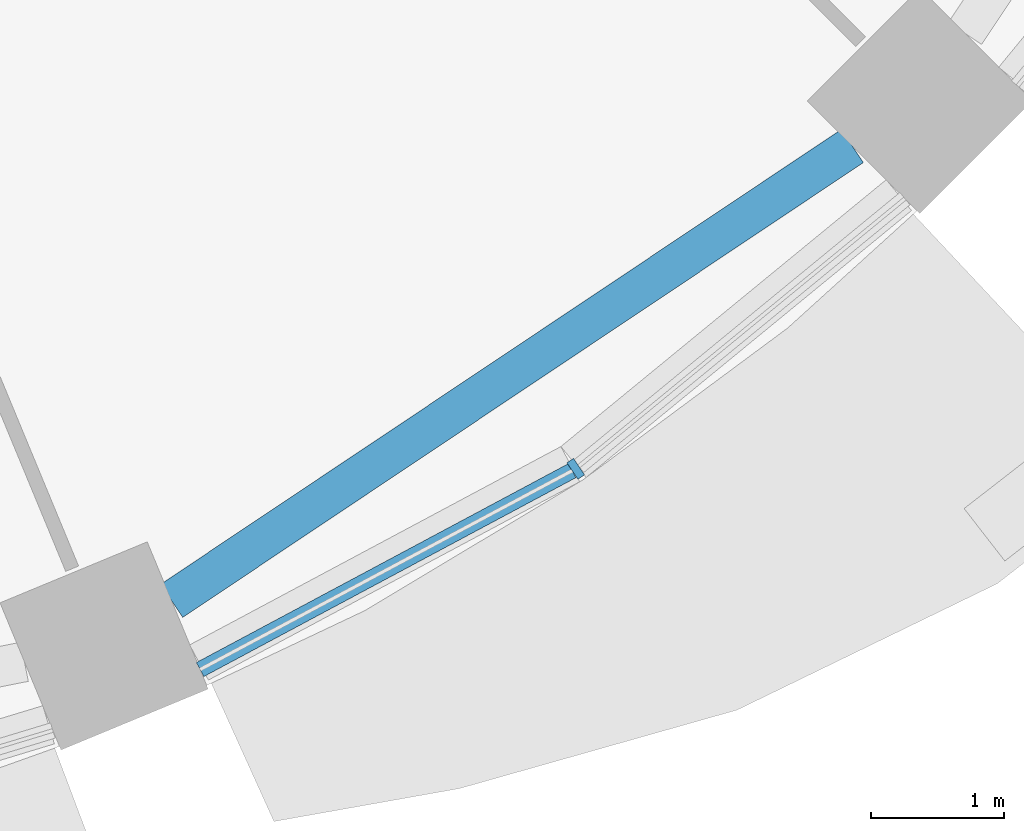
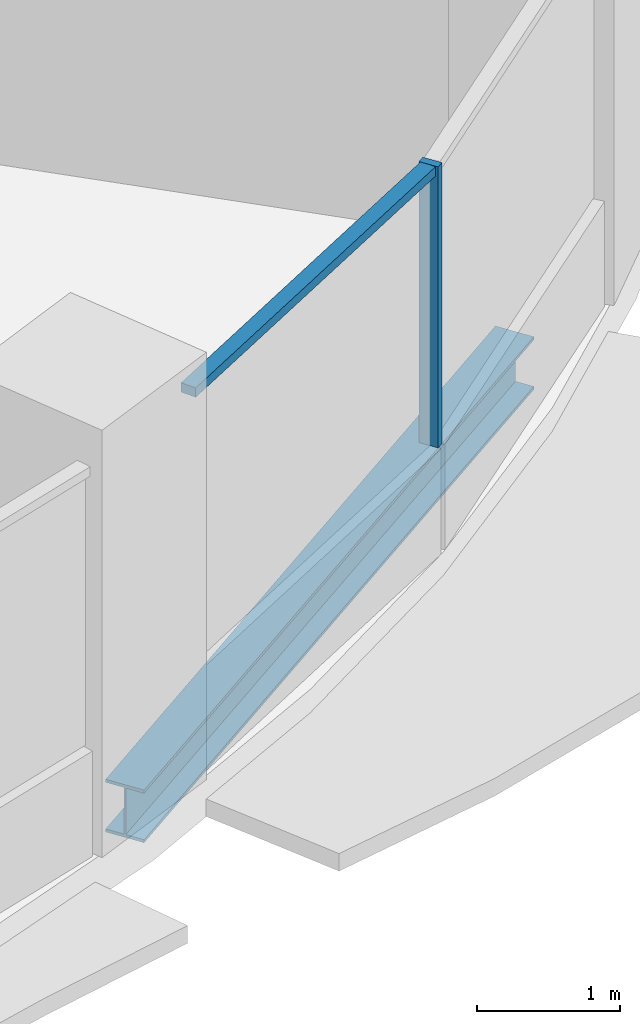
# One storey, part 3 of 15: 2 members, 1 beam, 1 element without a shape of its own.
"""IFC4 building model written with IfcOpenShell, lengths in metres."""

from ifc_helpers import new_model, si_unit, direction, frame, origin, origin_2d, place, context, subcontext, project, spatial, rectangle, i_section, extrude, material, material_profile, profile_set, type_object, element, aggregate, save


model = new_model("IFC4")

# Units and contexts
model_context = context("Model", 3, precision=1e-05, world=origin(), true_north=direction((0.0, 1.0)))
body_context = subcontext(model_context, "Body", "Model", "MODEL_VIEW")
ifc_project = project(units=[si_unit("LENGTHUNIT", "METRE"), si_unit("AREAUNIT", "SQUARE_METRE"), si_unit("VOLUMEUNIT", "CUBIC_METRE"), si_unit("PLANEANGLEUNIT", "RADIAN"), si_unit("MASSUNIT", "GRAM", prefix="KILO")], contexts=[model_context])

# Site, building, storey
site_placement = place(None, origin())
site = spatial("IfcSite", under=ifc_project, at=site_placement, CompositionType="ELEMENT")
building_placement = place(site_placement, origin())
building = spatial("IfcBuilding", under=site, at=building_placement, Name="Polderwave Tower", CompositionType="ELEMENT")
storey_placement = place(building_placement, frame((0.0, 0.0, 62.699951171875)))
storey = spatial("IfcBuildingStorey", under=building, at=storey_placement, Name="L16", CompositionType="ELEMENT", Elevation=62.699951171875)

# Curtain wall, members
ifc_material_1 = material(Name="Aluminium 6063-T6 and glass", Category="aluminium")
curtain_wall_type = type_object("IfcCurtainWallType", Name="Growing floor ribbon glazing wall", PredefinedType="NOTDEFINED", material=ifc_material_1)
curtain_wall_placement = place(storey_placement, origin())
curtain_wall = element("IfcCurtainWall", 1, at=curtain_wall_placement, inside=storey, type_object=curtain_wall_type, Name="CW2 L16 13", PredefinedType="NOTDEFINED")
ifc_material_2 = material(Name="Aluminium 6063-T6", Category="aluminium")
ifc_material_profile_1 = material_profile(ifc_material_2, rectangle(XDim=0.14990234375, YDim=0.06005859375, at=origin_2d()), Name="AL 60x150")
ifc_profile_set_1 = profile_set([ifc_material_profile_1], Name="Aluminium 6063-T6")
member_type_1 = type_object("IfcMemberType", Name="Growing floor ribbon glazing mullion 60x150", PredefinedType="MULLION", material=ifc_profile_set_1)
member_1_placement = place(storey_placement, frame((10.800048828125, -16.1640625, 0.900146484375), z_axis=(0.0, 0.0, 1.0), x_axis=(-0.555526696611, 0.831498700752, 0.0)))
member_1 = element("IfcMember", 2, at=member_1_placement, type_object=member_type_1, Name="CW2 mullion 1", PredefinedType="MULLION", context=body_context, shape_type="SweptSolid", body=[
    extrude(rectangle(XDim=0.14990234375, YDim=0.06005859375, at=origin_2d()), origin(), (0.0, 0.0, 1.0), 2.39990234375),
])
ifc_material_profile_2 = material_profile(ifc_material_2, rectangle(XDim=0.1201171875, YDim=0.080078125, at=origin_2d()), Name="AL 80x120")
ifc_profile_set_2 = profile_set([ifc_material_profile_2], Name="Aluminium 6063-T6")
member_type_2 = type_object("IfcMemberType", Name="Growing floor ribbon glazing transom 80x120", PredefinedType="USERDEFINED", material=ifc_profile_set_2)
member_2_placement = place(storey_placement, frame((7.970947265625, -17.676025390625, 3.260009765625), z_axis=(0.881910191406, 0.471417452258, 0.0), x_axis=(-0.471417452258, 0.881910191406, 0.0)))
member_2 = element("IfcMember", 3, at=member_2_placement, type_object=member_type_2, Name="CW2 transom 1", ObjectType="TRANSOM", PredefinedType="USERDEFINED", context=body_context, shape_type="SweptSolid", body=[
    extrude(rectangle(XDim=0.1201171875, YDim=0.080078125, at=origin_2d()), origin(), (0.0, 0.0, 1.0), 3.177734375),
])
aggregate(curtain_wall, [member_1, member_2])

# Beam
ifc_material_3 = material(Name="Steel S355", Category="steel")
ifc_material_profile_3 = material_profile(ifc_material_3, i_section(OverallWidth=0.300048828125, OverallDepth=0.449951171875, WebThickness=0.013916015625, FlangeThickness=0.02587890625, at=origin_2d()), Name="HE 450 B")
ifc_profile_set_3 = profile_set([ifc_material_profile_3], Name="Steel S355")
beam_type = type_object("IfcBeamType", Name="RING BEAM HE 450 B", PredefinedType="BEAM", material=ifc_profile_set_3)
beam_placement = place(storey_placement, frame((7.756591796875, -17.158447265625, -0.574951171875), z_axis=(0.831471217158, 0.555567831177, 0.0), x_axis=(-0.555567831177, 0.831471217158, 0.0)))
element("IfcBeam", 4, at=beam_placement, inside=storey, type_object=beam_type, Name="ST-RB-L16-13", PredefinedType="BEAM", context=body_context, shape_type="SweptSolid", body=[
    extrude(i_section(OverallWidth=0.300048828125, OverallDepth=0.449951171875, WebThickness=0.013916015625, FlangeThickness=0.02587890625, at=origin_2d()), origin(), (0.0, 0.0, 1.0), 6.166748046875),
])

save(model, "model.ifc")
